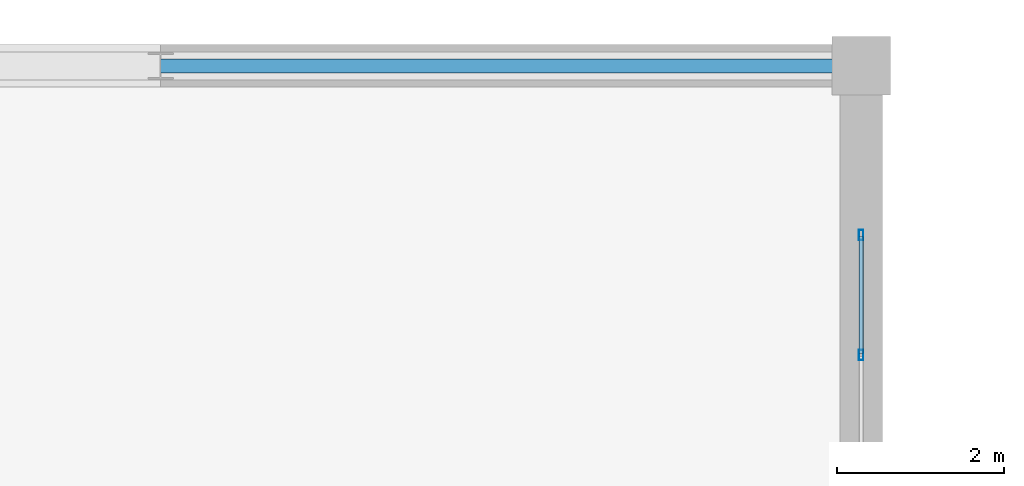
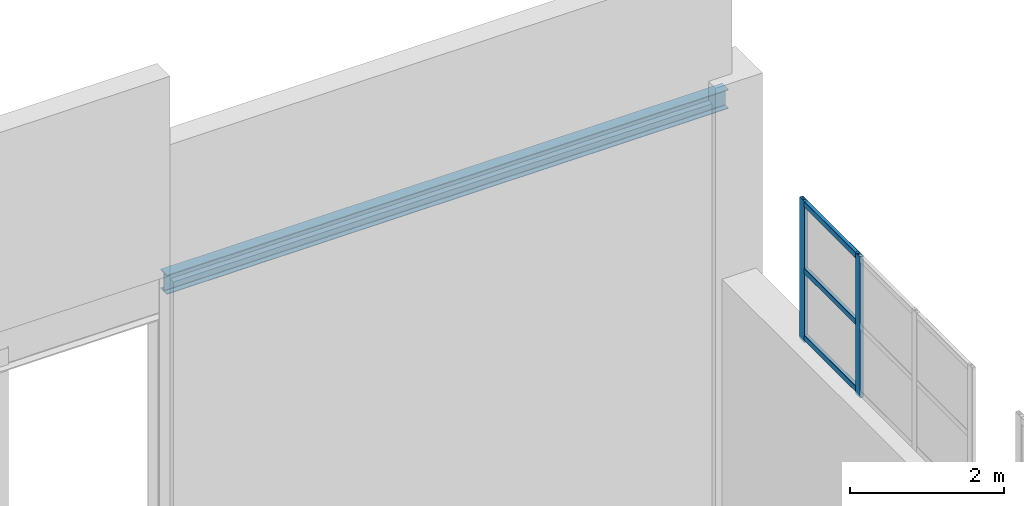
# One storey, part 153 of 197: 5 members, 1 beam, 1 element without a shape of its own.
"""IFC4 building model written with IfcOpenShell, lengths in metres."""

from ifc_helpers import new_model, si_unit, derived_unit, direction, frame, origin, origin_2d, place, context, subcontext, project, spatial, hollow_rectangle, i_section, extrude, material, layer, layer_set, material_profile, profile_set, type_object, element, aggregate, save


model = new_model("IFC4")

# Units and contexts
model_context = context("Model", 3, precision=1e-05, world=origin(), true_north=direction((0.0, 1.0)))
body_context = subcontext(model_context, "Body", "Model", "MODEL_VIEW")
ifc_project = project(units=[si_unit("LENGTHUNIT", "METRE"), si_unit("AREAUNIT", "SQUARE_METRE"), si_unit("VOLUMEUNIT", "CUBIC_METRE"), si_unit("PLANEANGLEUNIT", "RADIAN"), si_unit("MASSUNIT", "GRAM", prefix="KILO"), derived_unit("THERMALTRANSMITTANCEUNIT", [(si_unit("POWERUNIT", "WATT"), 1), (si_unit("LENGTHUNIT", "METRE"), -2), (si_unit("THERMODYNAMICTEMPERATUREUNIT", "KELVIN"), -1)])], contexts=[model_context])

# Site, building, storey
site_placement = place(None, origin())
site = spatial("IfcSite", under=ifc_project, at=site_placement, CompositionType="ELEMENT")
building_placement = place(site_placement, origin())
building = spatial("IfcBuilding", under=site, at=building_placement, Name="Almenara Railside Exhibition Hall", CompositionType="ELEMENT")
storey_placement = place(building_placement, frame((0.0, 0.0, 5.39990234375)))
storey = spatial("IfcBuildingStorey", under=building, at=storey_placement, Name="L01", CompositionType="ELEMENT", Elevation=5.39990234375)

# Curtain wall, members
ifc_material_1 = material(Name="Bronze-anodised aluminium and low-E double glazing", Category="aluminium")
ifc_layer = layer(ifc_material_1, 0.179931640625, Name="Bronze-anodised aluminium and low-E double glazing")
ifc_layer_set = layer_set([ifc_layer], Name="Bronze-anodised aluminium and low-E double glazing")
curtain_wall_type = type_object("IfcCurtainWallType", Name="East Hall Clerestory Curtain Wall 4400x2300", PredefinedType="NOTDEFINED", material=ifc_layer_set)
curtain_wall_placement = place(storey_placement, origin())
curtain_wall = element("IfcCurtainWall", 1, at=curtain_wall_placement, inside=storey, type_object=curtain_wall_type, Name="Curtain wall CW-CL3-078", PredefinedType="NOTDEFINED")
ifc_material_2 = material(Name="Bronze-anodised aluminium", Category="aluminium")
ifc_material_profile_1 = material_profile(ifc_material_2, hollow_rectangle(XDim=0.054931640625, YDim=0.125, WallThickness=0.0029296875, InnerFilletRadius=0.0029296875, OuterFilletRadius=0.006103515625, at=origin_2d()), Name="ALU-MUL 55x125x3")
ifc_profile_set_1 = profile_set([ifc_material_profile_1], Name="Bronze-anodised aluminium")
member_type_1 = type_object("IfcMemberType", Name="Curtain Wall Mullion 55x125x3", PredefinedType="MULLION", material=ifc_profile_set_1)
member_1_placement = place(storey_placement, frame((192.0, 128.533447265625, 3.614990234375), z_axis=(0.0, 0.0, 1.0), x_axis=(-1.0, 0.0, 0.0)))
member_1 = element("IfcMember", 2, at=member_1_placement, type_object=member_type_1, Name="CW-CL3-078 mullion 3", PredefinedType="MULLION", context=body_context, shape_type="SweptSolid", body=[
    extrude(hollow_rectangle(XDim=0.054931640625, YDim=0.125, WallThickness=0.0029296875, InnerFilletRadius=0.0029296875, OuterFilletRadius=0.006103515625, at=origin_2d()), origin(), (0.0, 0.0, 1.0), 2.235107421875),
])
member_2_placement = place(storey_placement, frame((192.0, 129.972412109375, 3.614990234375), z_axis=(0.0, 0.0, 1.0), x_axis=(-1.0, 0.0, 0.0)))
member_2 = element("IfcMember", 3, at=member_2_placement, type_object=member_type_1, Name="CW-CL3-078 mullion 4", PredefinedType="MULLION", context=body_context, shape_type="SweptSolid", body=[
    extrude(hollow_rectangle(XDim=0.054931640625, YDim=0.125, WallThickness=0.0029296875, InnerFilletRadius=0.0029296875, OuterFilletRadius=0.006103515625, at=origin_2d()), origin(), (0.0, 0.0, 1.0), 2.235107421875),
])
ifc_material_profile_2 = material_profile(ifc_material_2, hollow_rectangle(XDim=0.054931640625, YDim=0.090087890625, WallThickness=0.0029296875, InnerFilletRadius=0.0029296875, OuterFilletRadius=0.006103515625, at=origin_2d()), Name="ALU-TRN 55x90x3")
ifc_profile_set_2 = profile_set([ifc_material_profile_2], Name="Bronze-anodised aluminium")
member_type_2 = type_object("IfcMemberType", Name="Curtain Wall Transom 55x90x3", PredefinedType="USERDEFINED", material=ifc_profile_set_2)
member_3_placement = place(storey_placement, frame((192.0, 128.552734375, 3.695068359375), z_axis=(0.0, 1.0, 0.0), x_axis=(-1.0, 0.0, 0.0)))
member_3 = element("IfcMember", 4, at=member_3_placement, type_object=member_type_2, Name="CW-CL3-078 transom 3.1", ObjectType="TRANSOM", PredefinedType="USERDEFINED", context=body_context, shape_type="SweptSolid", body=[
    extrude(hollow_rectangle(XDim=0.054931640625, YDim=0.090087890625, WallThickness=0.0029296875, InnerFilletRadius=0.0029296875, OuterFilletRadius=0.006103515625, at=origin_2d()), origin(), (0.0, 0.0, 1.0), 1.400146484375),
])
member_4_placement = place(storey_placement, frame((192.0, 128.552734375, 4.75), z_axis=(0.0, 1.0, 0.0), x_axis=(-1.0, 0.0, 0.0)))
member_4 = element("IfcMember", 5, at=member_4_placement, type_object=member_type_2, Name="CW-CL3-078 transom 3.2", ObjectType="TRANSOM", PredefinedType="USERDEFINED", context=body_context, shape_type="SweptSolid", body=[
    extrude(hollow_rectangle(XDim=0.054931640625, YDim=0.090087890625, WallThickness=0.0029296875, InnerFilletRadius=0.0029296875, OuterFilletRadius=0.006103515625, at=origin_2d()), origin(), (0.0, 0.0, 1.0), 1.400146484375),
])
member_5_placement = place(storey_placement, frame((192.0, 128.552734375, 5.80517578125), z_axis=(0.0, 1.0, 0.0), x_axis=(-1.0, 0.0, 0.0)))
member_5 = element("IfcMember", 6, at=member_5_placement, type_object=member_type_2, Name="CW-CL3-078 transom 3.3", ObjectType="TRANSOM", PredefinedType="USERDEFINED", context=body_context, shape_type="SweptSolid", body=[
    extrude(hollow_rectangle(XDim=0.054931640625, YDim=0.090087890625, WallThickness=0.0029296875, InnerFilletRadius=0.0029296875, OuterFilletRadius=0.006103515625, at=origin_2d()), origin(), (0.0, 0.0, 1.0), 1.400146484375),
])
aggregate(curtain_wall, [member_1, member_2, member_3, member_4, member_5])

# Beam
ifc_material_3 = material(Name="Structural steel S355JR", Category="steel")
ifc_material_profile_3 = material_profile(ifc_material_3, i_section(OverallWidth=0.1650390625, OverallDepth=0.303466796875, WebThickness=0.006103515625, FlangeThickness=0.01025390625, FilletRadius=0.0087890625, at=origin_2d()), Name="UB 305x165x40")
ifc_profile_set_3 = profile_set([ifc_material_profile_3], Name="Structural steel S355JR")
beam_type = type_object("IfcBeamType", Name="Steel Canopy Edge Spandrel UB 305x165x40 S355JR", PredefinedType="SPANDREL", material=ifc_profile_set_3)
beam_placement = place(storey_placement, frame((183.60009765625, 132.0, 6.248291015625), z_axis=(1.0, 0.0, 0.0), x_axis=(0.0, 1.0, 0.0)))
element("IfcBeam", 7, at=beam_placement, inside=storey, type_object=beam_type, Name="BM-CRNLNT-V2G3-132", PredefinedType="SPANDREL", context=body_context, shape_type="SweptSolid", body=[
    extrude(i_section(OverallWidth=0.1650390625, OverallDepth=0.303466796875, WebThickness=0.006103515625, FlangeThickness=0.01025390625, FilletRadius=0.0087890625, at=origin_2d()), origin(), (0.0, 0.0, 1.0), 8.39990234375),
])

save(model, "model.ifc")
